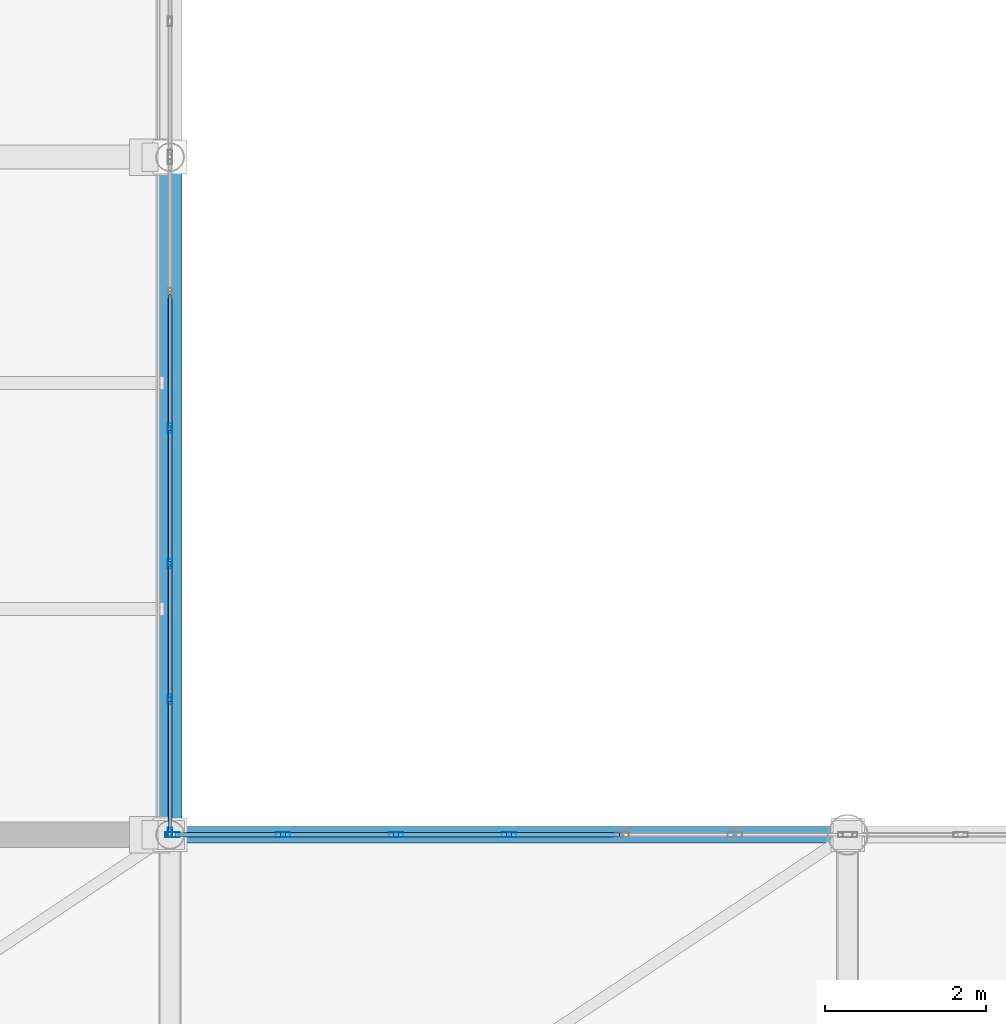
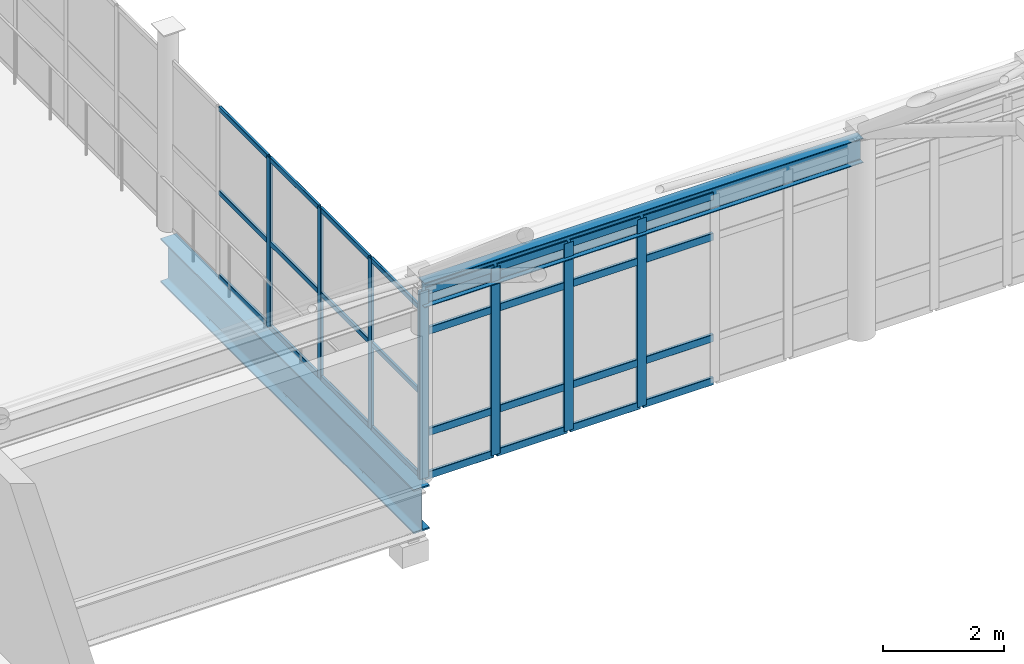
# One storey, part 55 of 184: 36 members, 2 beams, 2 elements without a shape of their own.
"""IFC4 building model written with IfcOpenShell, lengths in metres."""

from ifc_helpers import new_model, si_unit, direction, frame, origin, origin_2d, place, context, subcontext, project, spatial, hollow_rectangle, i_section, extrude, material, layer, layer_set, material_profile, profile_set, type_object, element, aggregate, save


model = new_model("IFC4")

# Units and contexts
model_context = context("Model", 3, precision=1e-05, world=origin(), true_north=direction((0.0, 1.0)))
body_context = subcontext(model_context, "Body", "Model", "MODEL_VIEW")
ifc_project = project(units=[si_unit("LENGTHUNIT", "METRE"), si_unit("AREAUNIT", "SQUARE_METRE"), si_unit("VOLUMEUNIT", "CUBIC_METRE"), si_unit("PLANEANGLEUNIT", "RADIAN"), si_unit("MASSUNIT", "GRAM", prefix="KILO")], contexts=[model_context])

# Site, building, storey
site_placement = place(None, origin())
site = spatial("IfcSite", under=ifc_project, at=site_placement, CompositionType="ELEMENT")
building_placement = place(site_placement, origin())
building = spatial("IfcBuilding", under=site, at=building_placement, Name="Qalvenar Corner Mobility Hub", CompositionType="ELEMENT")
storey_placement = place(building_placement, frame((0.0, 0.0, 9.0)))
storey = spatial("IfcBuildingStorey", under=building, at=storey_placement, Name="L02", CompositionType="ELEMENT", Elevation=9.0)

# Beams
ifc_material_1 = material(Name="Steel S355", Category="steel")
ifc_material_profile_1 = material_profile(ifc_material_1, i_section(OverallWidth=0.300048828125, OverallDepth=0.889892578125, WebThickness=0.01611328125, FlangeThickness=0.030029296875, FilletRadius=0.027099609375, at=origin_2d()), Name="HEA900")
ifc_profile_set_1 = profile_set([ifc_material_profile_1], Name="Steel S355")
beam_type_1 = type_object("IfcBeamType", Name="BM-BRG900", PredefinedType="BEAM", material=ifc_profile_set_1)
beam_1_placement = place(storey_placement, frame((58.800048828125, 33.60009765625, -0.635009765625), z_axis=(0.0, 1.0, 0.0), x_axis=(-1.0, 0.0, 0.0)))
element("IfcBeam", 1, at=beam_1_placement, inside=storey, type_object=beam_type_1, Name="Court Link Bridge Girder BRG-2176", PredefinedType="BEAM", context=body_context, shape_type="SweptSolid", body=[
    extrude(i_section(OverallWidth=0.300048828125, OverallDepth=0.889892578125, WebThickness=0.01611328125, FlangeThickness=0.030029296875, FilletRadius=0.027099609375, at=origin_2d()), origin(), (0.0, 0.0, 1.0), 8.39990234375),
])
ifc_material_profile_2 = material_profile(ifc_material_1, i_section(OverallWidth=0.199951171875, OverallDepth=0.5, WebThickness=0.01025390625, FlangeThickness=0.01611328125, FilletRadius=0.02099609375, at=origin_2d()), Name="IPE500")
ifc_profile_set_2 = profile_set([ifc_material_profile_2], Name="Steel S355")
beam_type_2 = type_object("IfcBeamType", Name="BM-IPE500", PredefinedType="BEAM", material=ifc_profile_set_2)
beam_2_placement = place(storey_placement, frame((58.800048828125, 33.60009765625, 3.75), z_axis=(1.0, 0.0, 0.0), x_axis=(0.0, 1.0, 0.0)))
element("IfcBeam", 2, at=beam_2_placement, inside=storey, type_object=beam_type_2, Name="Space Frame Ring Beam SFRB-2-33", PredefinedType="BEAM", context=body_context, shape_type="SweptSolid", body=[
    extrude(i_section(OverallWidth=0.199951171875, OverallDepth=0.5, WebThickness=0.01025390625, FlangeThickness=0.01611328125, FilletRadius=0.02099609375, at=origin_2d()), origin(), (0.0, 0.0, 1.0), 8.39990234375),
])

# Curtain wall, members
ifc_material_2 = material(Name="Anodised Aluminium and Low-E Glazing", Category="aluminium")
ifc_layer_1 = layer(ifc_material_2, 0.1201171875)
ifc_layer_set_1 = layer_set([ifc_layer_1], Name="Anodised Aluminium and Low-E Glazing")
curtain_wall_type_1 = type_object("IfcCurtainWallType", Name="CW-BRG-84X28", PredefinedType="NOTDEFINED", material=ifc_layer_set_1)
curtain_wall_1_placement = place(storey_placement, origin())
curtain_wall_1 = element("IfcCurtainWall", 3, at=curtain_wall_1_placement, inside=storey, type_object=curtain_wall_type_1, Name="Glazed Curtain Wall CW-BRG-L02-E0", PredefinedType="NOTDEFINED")
ifc_material_3 = material(Name="Anodised Aluminium 6063-T6", Category="aluminium")
ifc_material_profile_3 = material_profile(ifc_material_3, hollow_rectangle(XDim=0.054931640625, YDim=0.1201171875, WallThickness=0.00341796875, InnerFilletRadius=0.00341796875, OuterFilletRadius=0.007080078125, at=origin_2d()), Name="RHS120x55x3.5")
ifc_profile_set_3 = profile_set([ifc_material_profile_3], Name="Anodised Aluminium 6063-T6")
member_type_1 = type_object("IfcMemberType", Name="CW-MUL120", PredefinedType="MULLION", material=ifc_profile_set_3)
member_1_placement = place(storey_placement, frame((58.800048828125, 33.6298828125, 0.0), z_axis=(0.0, 0.0, 1.0), x_axis=(-1.0, 0.0, 0.0)))
member_1 = element("IfcMember", 4, at=member_1_placement, type_object=member_type_1, Name="CW-11 mullion 1", PredefinedType="MULLION", context=body_context, shape_type="SweptSolid", body=[
    extrude(hollow_rectangle(XDim=0.054931640625, YDim=0.1201171875, WallThickness=0.00341796875, InnerFilletRadius=0.00341796875, OuterFilletRadius=0.007080078125, at=origin_2d()), origin(), (0.0, 0.0, 1.0), 3.449951171875),
])
member_2_placement = place(storey_placement, frame((58.800048828125, 35.280029296875, 0.0), z_axis=(0.0, 0.0, 1.0), x_axis=(-1.0, 0.0, 0.0)))
member_2 = element("IfcMember", 5, at=member_2_placement, type_object=member_type_1, Name="CW-11 mullion 2", PredefinedType="MULLION", context=body_context, shape_type="SweptSolid", body=[
    extrude(hollow_rectangle(XDim=0.054931640625, YDim=0.1201171875, WallThickness=0.00341796875, InnerFilletRadius=0.00341796875, OuterFilletRadius=0.007080078125, at=origin_2d()), origin(), (0.0, 0.0, 1.0), 3.449951171875),
])
member_3_placement = place(storey_placement, frame((58.800048828125, 36.9599609375, 0.0), z_axis=(0.0, 0.0, 1.0), x_axis=(-1.0, 0.0, 0.0)))
member_3 = element("IfcMember", 6, at=member_3_placement, type_object=member_type_1, Name="CW-11 mullion 3", PredefinedType="MULLION", context=body_context, shape_type="SweptSolid", body=[
    extrude(hollow_rectangle(XDim=0.054931640625, YDim=0.1201171875, WallThickness=0.00341796875, InnerFilletRadius=0.00341796875, OuterFilletRadius=0.007080078125, at=origin_2d()), origin(), (0.0, 0.0, 1.0), 3.449951171875),
])
member_4_placement = place(storey_placement, frame((58.800048828125, 38.639892578125, 0.0), z_axis=(0.0, 0.0, 1.0), x_axis=(-1.0, 0.0, 0.0)))
member_4 = element("IfcMember", 7, at=member_4_placement, type_object=member_type_1, Name="CW-11 mullion 4", PredefinedType="MULLION", context=body_context, shape_type="SweptSolid", body=[
    extrude(hollow_rectangle(XDim=0.054931640625, YDim=0.1201171875, WallThickness=0.00341796875, InnerFilletRadius=0.00341796875, OuterFilletRadius=0.007080078125, at=origin_2d()), origin(), (0.0, 0.0, 1.0), 3.449951171875),
])

ifc_layer_2 = layer(ifc_material_2, 0.179931640625)
ifc_layer_set_2 = layer_set([ifc_layer_2], Name="Anodised Aluminium and Low-E Glazing")
curtain_wall_type_2 = type_object("IfcCurtainWallType", Name="CW-CONC-84X42", PredefinedType="NOTDEFINED", material=ifc_layer_set_2)
curtain_wall_2_placement = place(storey_placement, origin())
curtain_wall_2 = element("IfcCurtainWall", 8, at=curtain_wall_2_placement, inside=storey, type_object=curtain_wall_type_2, Name="Glazed Curtain Wall CW-V1-L02-N1", PredefinedType="NOTDEFINED")
ifc_material_profile_4 = material_profile(ifc_material_3, hollow_rectangle(XDim=0.06494140625, YDim=0.179931640625, WallThickness=0.00390625, InnerFilletRadius=0.00390625, OuterFilletRadius=0.008056640625, at=origin_2d()), Name="RHS180x65x4")
ifc_profile_set_4 = profile_set([ifc_material_profile_4], Name="Anodised Aluminium 6063-T6")
member_type_2 = type_object("IfcMemberType", Name="CW-MUL180", PredefinedType="MULLION", material=ifc_profile_set_4)
member_5_placement = place(storey_placement, frame((63.0, 33.60009765625, 0.0), z_axis=(0.0, 0.0, 1.0), x_axis=(0.0, -1.0, 0.0)))
member_5 = element("IfcMember", 9, at=member_5_placement, type_object=member_type_2, Name="CW-02 mullion 4", PredefinedType="MULLION", context=body_context, shape_type="SweptSolid", body=[
    extrude(hollow_rectangle(XDim=0.06494140625, YDim=0.179931640625, WallThickness=0.00390625, InnerFilletRadius=0.00390625, OuterFilletRadius=0.008056640625, at=origin_2d()), origin(), (0.0, 0.0, 1.0), 3.800048828125),
])
member_6_placement = place(storey_placement, frame((61.60009765625, 33.60009765625, 0.0), z_axis=(0.0, 0.0, 1.0), x_axis=(0.0, -1.0, 0.0)))
member_6 = element("IfcMember", 10, at=member_6_placement, type_object=member_type_2, Name="CW-02 mullion 5", PredefinedType="MULLION", context=body_context, shape_type="SweptSolid", body=[
    extrude(hollow_rectangle(XDim=0.06494140625, YDim=0.179931640625, WallThickness=0.00390625, InnerFilletRadius=0.00390625, OuterFilletRadius=0.008056640625, at=origin_2d()), origin(), (0.0, 0.0, 1.0), 3.800048828125),
])
member_7_placement = place(storey_placement, frame((60.199951171875, 33.60009765625, 0.0), z_axis=(0.0, 0.0, 1.0), x_axis=(0.0, -1.0, 0.0)))
member_7 = element("IfcMember", 11, at=member_7_placement, type_object=member_type_2, Name="CW-02 mullion 6", PredefinedType="MULLION", context=body_context, shape_type="SweptSolid", body=[
    extrude(hollow_rectangle(XDim=0.06494140625, YDim=0.179931640625, WallThickness=0.00390625, InnerFilletRadius=0.00390625, OuterFilletRadius=0.008056640625, at=origin_2d()), origin(), (0.0, 0.0, 1.0), 3.800048828125),
])
member_8_placement = place(storey_placement, frame((58.830078125, 33.60009765625, 0.0), z_axis=(0.0, 0.0, 1.0), x_axis=(0.0, -1.0, 0.0)))
member_8 = element("IfcMember", 12, at=member_8_placement, type_object=member_type_2, Name="CW-02 mullion 7", PredefinedType="MULLION", context=body_context, shape_type="SweptSolid", body=[
    extrude(hollow_rectangle(XDim=0.06494140625, YDim=0.179931640625, WallThickness=0.00390625, InnerFilletRadius=0.00390625, OuterFilletRadius=0.008056640625, at=origin_2d()), origin(), (0.0, 0.0, 1.0), 3.800048828125),
])

# Member
ifc_material_profile_5 = material_profile(ifc_material_3, hollow_rectangle(XDim=0.050048828125, YDim=0.10009765625, WallThickness=0.0029296875, InnerFilletRadius=0.0029296875, OuterFilletRadius=0.006103515625, at=origin_2d()), Name="RHS100x50x3")
ifc_profile_set_5 = profile_set([ifc_material_profile_5], Name="Anodised Aluminium 6063-T6")
member_type_3 = type_object("IfcMemberType", Name="CW-TRN100", PredefinedType="USERDEFINED", material=ifc_profile_set_5)
member_9_placement = place(storey_placement, frame((58.800048828125, 33.659912109375, 0.027587890625), z_axis=(0.0, 1.0, 0.0), x_axis=(-1.0, 0.0, 0.0)))
member_9 = element("IfcMember", 13, at=member_9_placement, type_object=member_type_3, Name="CW-11 transom 1.1", ObjectType="TRANSOM", PredefinedType="USERDEFINED", context=body_context, shape_type="SweptSolid", body=[
    extrude(hollow_rectangle(XDim=0.050048828125, YDim=0.10009765625, WallThickness=0.0029296875, InnerFilletRadius=0.0029296875, OuterFilletRadius=0.006103515625, at=origin_2d()), origin(), (0.0, 0.0, 1.0), 1.590087890625),
])

member_10_placement = place(storey_placement, frame((58.800048828125, 33.659912109375, 1.72509765625), z_axis=(0.0, 1.0, 0.0), x_axis=(-1.0, 0.0, 0.0)))
member_10 = element("IfcMember", 14, at=member_10_placement, type_object=member_type_3, Name="CW-11 transom 1.2", ObjectType="TRANSOM", PredefinedType="USERDEFINED", context=body_context, shape_type="SweptSolid", body=[
    extrude(hollow_rectangle(XDim=0.050048828125, YDim=0.10009765625, WallThickness=0.0029296875, InnerFilletRadius=0.0029296875, OuterFilletRadius=0.006103515625, at=origin_2d()), origin(), (0.0, 0.0, 1.0), 1.590087890625),
])

member_11_placement = place(storey_placement, frame((58.800048828125, 33.659912109375, 3.422607421875), z_axis=(0.0, 1.0, 0.0), x_axis=(-1.0, 0.0, 0.0)))
member_11 = element("IfcMember", 15, at=member_11_placement, type_object=member_type_3, Name="CW-11 transom 1.3", ObjectType="TRANSOM", PredefinedType="USERDEFINED", context=body_context, shape_type="SweptSolid", body=[
    extrude(hollow_rectangle(XDim=0.050048828125, YDim=0.10009765625, WallThickness=0.0029296875, InnerFilletRadius=0.0029296875, OuterFilletRadius=0.006103515625, at=origin_2d()), origin(), (0.0, 0.0, 1.0), 1.590087890625),
])

member_12_placement = place(storey_placement, frame((58.800048828125, 35.31005859375, 0.027587890625), z_axis=(0.0, 1.0, 0.0), x_axis=(-1.0, 0.0, 0.0)))
member_12 = element("IfcMember", 16, at=member_12_placement, type_object=member_type_3, Name="CW-11 transom 2.1", ObjectType="TRANSOM", PredefinedType="USERDEFINED", context=body_context, shape_type="SweptSolid", body=[
    extrude(hollow_rectangle(XDim=0.050048828125, YDim=0.10009765625, WallThickness=0.0029296875, InnerFilletRadius=0.0029296875, OuterFilletRadius=0.006103515625, at=origin_2d()), origin(), (0.0, 0.0, 1.0), 1.619873046875),
])

member_13_placement = place(storey_placement, frame((58.800048828125, 35.31005859375, 1.72509765625), z_axis=(0.0, 1.0, 0.0), x_axis=(-1.0, 0.0, 0.0)))
member_13 = element("IfcMember", 17, at=member_13_placement, type_object=member_type_3, Name="CW-11 transom 2.2", ObjectType="TRANSOM", PredefinedType="USERDEFINED", context=body_context, shape_type="SweptSolid", body=[
    extrude(hollow_rectangle(XDim=0.050048828125, YDim=0.10009765625, WallThickness=0.0029296875, InnerFilletRadius=0.0029296875, OuterFilletRadius=0.006103515625, at=origin_2d()), origin(), (0.0, 0.0, 1.0), 1.619873046875),
])

member_14_placement = place(storey_placement, frame((58.800048828125, 35.31005859375, 3.422607421875), z_axis=(0.0, 1.0, 0.0), x_axis=(-1.0, 0.0, 0.0)))
member_14 = element("IfcMember", 18, at=member_14_placement, type_object=member_type_3, Name="CW-11 transom 2.3", ObjectType="TRANSOM", PredefinedType="USERDEFINED", context=body_context, shape_type="SweptSolid", body=[
    extrude(hollow_rectangle(XDim=0.050048828125, YDim=0.10009765625, WallThickness=0.0029296875, InnerFilletRadius=0.0029296875, OuterFilletRadius=0.006103515625, at=origin_2d()), origin(), (0.0, 0.0, 1.0), 1.619873046875),
])

member_15_placement = place(storey_placement, frame((58.800048828125, 36.989990234375, 0.027587890625), z_axis=(0.0, 1.0, 0.0), x_axis=(-1.0, 0.0, 0.0)))
member_15 = element("IfcMember", 19, at=member_15_placement, type_object=member_type_3, Name="CW-11 transom 3.1", ObjectType="TRANSOM", PredefinedType="USERDEFINED", context=body_context, shape_type="SweptSolid", body=[
    extrude(hollow_rectangle(XDim=0.050048828125, YDim=0.10009765625, WallThickness=0.0029296875, InnerFilletRadius=0.0029296875, OuterFilletRadius=0.006103515625, at=origin_2d()), origin(), (0.0, 0.0, 1.0), 1.6201171875),
])

member_16_placement = place(storey_placement, frame((58.800048828125, 36.989990234375, 1.72509765625), z_axis=(0.0, 1.0, 0.0), x_axis=(-1.0, 0.0, 0.0)))
member_16 = element("IfcMember", 20, at=member_16_placement, type_object=member_type_3, Name="CW-11 transom 3.2", ObjectType="TRANSOM", PredefinedType="USERDEFINED", context=body_context, shape_type="SweptSolid", body=[
    extrude(hollow_rectangle(XDim=0.050048828125, YDim=0.10009765625, WallThickness=0.0029296875, InnerFilletRadius=0.0029296875, OuterFilletRadius=0.006103515625, at=origin_2d()), origin(), (0.0, 0.0, 1.0), 1.6201171875),
])

member_17_placement = place(storey_placement, frame((58.800048828125, 36.989990234375, 3.422607421875), z_axis=(0.0, 1.0, 0.0), x_axis=(-1.0, 0.0, 0.0)))
member_17 = element("IfcMember", 21, at=member_17_placement, type_object=member_type_3, Name="CW-11 transom 3.3", ObjectType="TRANSOM", PredefinedType="USERDEFINED", context=body_context, shape_type="SweptSolid", body=[
    extrude(hollow_rectangle(XDim=0.050048828125, YDim=0.10009765625, WallThickness=0.0029296875, InnerFilletRadius=0.0029296875, OuterFilletRadius=0.006103515625, at=origin_2d()), origin(), (0.0, 0.0, 1.0), 1.6201171875),
])

member_18_placement = place(storey_placement, frame((58.800048828125, 38.669921875, 0.027587890625), z_axis=(0.0, 1.0, 0.0), x_axis=(-1.0, 0.0, 0.0)))
member_18 = element("IfcMember", 22, at=member_18_placement, type_object=member_type_3, Name="CW-11 transom 4.1", ObjectType="TRANSOM", PredefinedType="USERDEFINED", context=body_context, shape_type="SweptSolid", body=[
    extrude(hollow_rectangle(XDim=0.050048828125, YDim=0.10009765625, WallThickness=0.0029296875, InnerFilletRadius=0.0029296875, OuterFilletRadius=0.006103515625, at=origin_2d()), origin(), (0.0, 0.0, 1.0), 1.6201171875),
])

member_19_placement = place(storey_placement, frame((58.800048828125, 38.669921875, 1.72509765625), z_axis=(0.0, 1.0, 0.0), x_axis=(-1.0, 0.0, 0.0)))
member_19 = element("IfcMember", 23, at=member_19_placement, type_object=member_type_3, Name="CW-11 transom 4.2", ObjectType="TRANSOM", PredefinedType="USERDEFINED", context=body_context, shape_type="SweptSolid", body=[
    extrude(hollow_rectangle(XDim=0.050048828125, YDim=0.10009765625, WallThickness=0.0029296875, InnerFilletRadius=0.0029296875, OuterFilletRadius=0.006103515625, at=origin_2d()), origin(), (0.0, 0.0, 1.0), 1.6201171875),
])

member_20_placement = place(storey_placement, frame((58.800048828125, 38.669921875, 3.422607421875), z_axis=(0.0, 1.0, 0.0), x_axis=(-1.0, 0.0, 0.0)))
member_20 = element("IfcMember", 24, at=member_20_placement, type_object=member_type_3, Name="CW-11 transom 4.3", ObjectType="TRANSOM", PredefinedType="USERDEFINED", context=body_context, shape_type="SweptSolid", body=[
    extrude(hollow_rectangle(XDim=0.050048828125, YDim=0.10009765625, WallThickness=0.0029296875, InnerFilletRadius=0.0029296875, OuterFilletRadius=0.006103515625, at=origin_2d()), origin(), (0.0, 0.0, 1.0), 1.6201171875),
])

aggregate(curtain_wall_1, [member_1, member_2, member_3, member_4, member_9, member_10, member_11, member_12, member_13, member_14, member_15, member_16, member_17, member_18, member_19, member_20])

ifc_material_profile_6 = material_profile(ifc_material_3, hollow_rectangle(XDim=0.06005859375, YDim=0.14990234375, WallThickness=0.00341796875, InnerFilletRadius=0.00341796875, OuterFilletRadius=0.007080078125, at=origin_2d()), Name="RHS150x60x3.5")
ifc_profile_set_6 = profile_set([ifc_material_profile_6], Name="Anodised Aluminium 6063-T6")
member_type_4 = type_object("IfcMemberType", Name="CW-TRN150", PredefinedType="USERDEFINED", material=ifc_profile_set_6)
member_21_placement = place(storey_placement, frame((64.3701171875, 33.60009765625, 0.027587890625), z_axis=(-1.0, 0.0, 0.0), x_axis=(0.0, -1.0, 0.0)))
member_21 = element("IfcMember", 25, at=member_21_placement, type_object=member_type_4, Name="CW-02 transom 3.1", ObjectType="TRANSOM", PredefinedType="USERDEFINED", context=body_context, shape_type="SweptSolid", body=[
    extrude(hollow_rectangle(XDim=0.06005859375, YDim=0.14990234375, WallThickness=0.00341796875, InnerFilletRadius=0.00341796875, OuterFilletRadius=0.007080078125, at=origin_2d()), origin(), (0.0, 0.0, 1.0), 1.340087890625),
])

member_22_placement = place(storey_placement, frame((64.3701171875, 33.60009765625, 0.89990234375), z_axis=(-1.0, 0.0, 0.0), x_axis=(0.0, -1.0, 0.0)))
member_22 = element("IfcMember", 26, at=member_22_placement, type_object=member_type_4, Name="CW-02 transom 3.2", ObjectType="TRANSOM", PredefinedType="USERDEFINED", context=body_context, shape_type="SweptSolid", body=[
    extrude(hollow_rectangle(XDim=0.06005859375, YDim=0.14990234375, WallThickness=0.00341796875, InnerFilletRadius=0.00341796875, OuterFilletRadius=0.007080078125, at=origin_2d()), origin(), (0.0, 0.0, 1.0), 1.340087890625),
])

member_23_placement = place(storey_placement, frame((64.3701171875, 33.60009765625, 2.949951171875), z_axis=(-1.0, 0.0, 0.0), x_axis=(0.0, -1.0, 0.0)))
member_23 = element("IfcMember", 27, at=member_23_placement, type_object=member_type_4, Name="CW-02 transom 3.3", ObjectType="TRANSOM", PredefinedType="USERDEFINED", context=body_context, shape_type="SweptSolid", body=[
    extrude(hollow_rectangle(XDim=0.06005859375, YDim=0.14990234375, WallThickness=0.00341796875, InnerFilletRadius=0.00341796875, OuterFilletRadius=0.007080078125, at=origin_2d()), origin(), (0.0, 0.0, 1.0), 1.340087890625),
])

member_24_placement = place(storey_placement, frame((64.3701171875, 33.60009765625, 3.7724609375), z_axis=(-1.0, 0.0, 0.0), x_axis=(0.0, -1.0, 0.0)))
member_24 = element("IfcMember", 28, at=member_24_placement, type_object=member_type_4, Name="CW-02 transom 3.4", ObjectType="TRANSOM", PredefinedType="USERDEFINED", context=body_context, shape_type="SweptSolid", body=[
    extrude(hollow_rectangle(XDim=0.06005859375, YDim=0.14990234375, WallThickness=0.00341796875, InnerFilletRadius=0.00341796875, OuterFilletRadius=0.007080078125, at=origin_2d()), origin(), (0.0, 0.0, 1.0), 1.340087890625),
])

member_25_placement = place(storey_placement, frame((62.969970703125, 33.60009765625, 0.027587890625), z_axis=(-1.0, 0.0, 0.0), x_axis=(0.0, -1.0, 0.0)))
member_25 = element("IfcMember", 29, at=member_25_placement, type_object=member_type_4, Name="CW-02 transom 4.1", ObjectType="TRANSOM", PredefinedType="USERDEFINED", context=body_context, shape_type="SweptSolid", body=[
    extrude(hollow_rectangle(XDim=0.06005859375, YDim=0.14990234375, WallThickness=0.00341796875, InnerFilletRadius=0.00341796875, OuterFilletRadius=0.007080078125, at=origin_2d()), origin(), (0.0, 0.0, 1.0), 1.340087890625),
])

member_26_placement = place(storey_placement, frame((62.969970703125, 33.60009765625, 0.89990234375), z_axis=(-1.0, 0.0, 0.0), x_axis=(0.0, -1.0, 0.0)))
member_26 = element("IfcMember", 30, at=member_26_placement, type_object=member_type_4, Name="CW-02 transom 4.2", ObjectType="TRANSOM", PredefinedType="USERDEFINED", context=body_context, shape_type="SweptSolid", body=[
    extrude(hollow_rectangle(XDim=0.06005859375, YDim=0.14990234375, WallThickness=0.00341796875, InnerFilletRadius=0.00341796875, OuterFilletRadius=0.007080078125, at=origin_2d()), origin(), (0.0, 0.0, 1.0), 1.340087890625),
])

member_27_placement = place(storey_placement, frame((62.969970703125, 33.60009765625, 2.949951171875), z_axis=(-1.0, 0.0, 0.0), x_axis=(0.0, -1.0, 0.0)))
member_27 = element("IfcMember", 31, at=member_27_placement, type_object=member_type_4, Name="CW-02 transom 4.3", ObjectType="TRANSOM", PredefinedType="USERDEFINED", context=body_context, shape_type="SweptSolid", body=[
    extrude(hollow_rectangle(XDim=0.06005859375, YDim=0.14990234375, WallThickness=0.00341796875, InnerFilletRadius=0.00341796875, OuterFilletRadius=0.007080078125, at=origin_2d()), origin(), (0.0, 0.0, 1.0), 1.340087890625),
])

member_28_placement = place(storey_placement, frame((62.969970703125, 33.60009765625, 3.7724609375), z_axis=(-1.0, 0.0, 0.0), x_axis=(0.0, -1.0, 0.0)))
member_28 = element("IfcMember", 32, at=member_28_placement, type_object=member_type_4, Name="CW-02 transom 4.4", ObjectType="TRANSOM", PredefinedType="USERDEFINED", context=body_context, shape_type="SweptSolid", body=[
    extrude(hollow_rectangle(XDim=0.06005859375, YDim=0.14990234375, WallThickness=0.00341796875, InnerFilletRadius=0.00341796875, OuterFilletRadius=0.007080078125, at=origin_2d()), origin(), (0.0, 0.0, 1.0), 1.340087890625),
])

member_29_placement = place(storey_placement, frame((61.570068359375, 33.60009765625, 0.027587890625), z_axis=(-1.0, 0.0, 0.0), x_axis=(0.0, -1.0, 0.0)))
member_29 = element("IfcMember", 33, at=member_29_placement, type_object=member_type_4, Name="CW-02 transom 5.1", ObjectType="TRANSOM", PredefinedType="USERDEFINED", context=body_context, shape_type="SweptSolid", body=[
    extrude(hollow_rectangle(XDim=0.06005859375, YDim=0.14990234375, WallThickness=0.00341796875, InnerFilletRadius=0.00341796875, OuterFilletRadius=0.007080078125, at=origin_2d()), origin(), (0.0, 0.0, 1.0), 1.340087890625),
])

member_30_placement = place(storey_placement, frame((61.570068359375, 33.60009765625, 0.89990234375), z_axis=(-1.0, 0.0, 0.0), x_axis=(0.0, -1.0, 0.0)))
member_30 = element("IfcMember", 34, at=member_30_placement, type_object=member_type_4, Name="CW-02 transom 5.2", ObjectType="TRANSOM", PredefinedType="USERDEFINED", context=body_context, shape_type="SweptSolid", body=[
    extrude(hollow_rectangle(XDim=0.06005859375, YDim=0.14990234375, WallThickness=0.00341796875, InnerFilletRadius=0.00341796875, OuterFilletRadius=0.007080078125, at=origin_2d()), origin(), (0.0, 0.0, 1.0), 1.340087890625),
])

member_31_placement = place(storey_placement, frame((61.570068359375, 33.60009765625, 2.949951171875), z_axis=(-1.0, 0.0, 0.0), x_axis=(0.0, -1.0, 0.0)))
member_31 = element("IfcMember", 35, at=member_31_placement, type_object=member_type_4, Name="CW-02 transom 5.3", ObjectType="TRANSOM", PredefinedType="USERDEFINED", context=body_context, shape_type="SweptSolid", body=[
    extrude(hollow_rectangle(XDim=0.06005859375, YDim=0.14990234375, WallThickness=0.00341796875, InnerFilletRadius=0.00341796875, OuterFilletRadius=0.007080078125, at=origin_2d()), origin(), (0.0, 0.0, 1.0), 1.340087890625),
])

member_32_placement = place(storey_placement, frame((61.570068359375, 33.60009765625, 3.7724609375), z_axis=(-1.0, 0.0, 0.0), x_axis=(0.0, -1.0, 0.0)))
member_32 = element("IfcMember", 36, at=member_32_placement, type_object=member_type_4, Name="CW-02 transom 5.4", ObjectType="TRANSOM", PredefinedType="USERDEFINED", context=body_context, shape_type="SweptSolid", body=[
    extrude(hollow_rectangle(XDim=0.06005859375, YDim=0.14990234375, WallThickness=0.00341796875, InnerFilletRadius=0.00341796875, OuterFilletRadius=0.007080078125, at=origin_2d()), origin(), (0.0, 0.0, 1.0), 1.340087890625),
])

member_33_placement = place(storey_placement, frame((60.169921875, 33.60009765625, 0.027587890625), z_axis=(-1.0, 0.0, 0.0), x_axis=(0.0, -1.0, 0.0)))
member_33 = element("IfcMember", 37, at=member_33_placement, type_object=member_type_4, Name="CW-02 transom 6.1", ObjectType="TRANSOM", PredefinedType="USERDEFINED", context=body_context, shape_type="SweptSolid", body=[
    extrude(hollow_rectangle(XDim=0.06005859375, YDim=0.14990234375, WallThickness=0.00341796875, InnerFilletRadius=0.00341796875, OuterFilletRadius=0.007080078125, at=origin_2d()), origin(), (0.0, 0.0, 1.0), 1.309814453125),
])

member_34_placement = place(storey_placement, frame((60.169921875, 33.60009765625, 0.89990234375), z_axis=(-1.0, 0.0, 0.0), x_axis=(0.0, -1.0, 0.0)))
member_34 = element("IfcMember", 38, at=member_34_placement, type_object=member_type_4, Name="CW-02 transom 6.2", ObjectType="TRANSOM", PredefinedType="USERDEFINED", context=body_context, shape_type="SweptSolid", body=[
    extrude(hollow_rectangle(XDim=0.06005859375, YDim=0.14990234375, WallThickness=0.00341796875, InnerFilletRadius=0.00341796875, OuterFilletRadius=0.007080078125, at=origin_2d()), origin(), (0.0, 0.0, 1.0), 1.309814453125),
])

member_35_placement = place(storey_placement, frame((60.169921875, 33.60009765625, 2.949951171875), z_axis=(-1.0, 0.0, 0.0), x_axis=(0.0, -1.0, 0.0)))
member_35 = element("IfcMember", 39, at=member_35_placement, type_object=member_type_4, Name="CW-02 transom 6.3", ObjectType="TRANSOM", PredefinedType="USERDEFINED", context=body_context, shape_type="SweptSolid", body=[
    extrude(hollow_rectangle(XDim=0.06005859375, YDim=0.14990234375, WallThickness=0.00341796875, InnerFilletRadius=0.00341796875, OuterFilletRadius=0.007080078125, at=origin_2d()), origin(), (0.0, 0.0, 1.0), 1.309814453125),
])

member_36_placement = place(storey_placement, frame((60.169921875, 33.60009765625, 3.7724609375), z_axis=(-1.0, 0.0, 0.0), x_axis=(0.0, -1.0, 0.0)))
member_36 = element("IfcMember", 40, at=member_36_placement, type_object=member_type_4, Name="CW-02 transom 6.4", ObjectType="TRANSOM", PredefinedType="USERDEFINED", context=body_context, shape_type="SweptSolid", body=[
    extrude(hollow_rectangle(XDim=0.06005859375, YDim=0.14990234375, WallThickness=0.00341796875, InnerFilletRadius=0.00341796875, OuterFilletRadius=0.007080078125, at=origin_2d()), origin(), (0.0, 0.0, 1.0), 1.309814453125),
])

aggregate(curtain_wall_2, [member_5, member_6, member_7, member_8, member_21, member_22, member_23, member_24, member_25, member_26, member_27, member_28, member_29, member_30, member_31, member_32, member_33, member_34, member_35, member_36])

save(model, "model.ifc")
